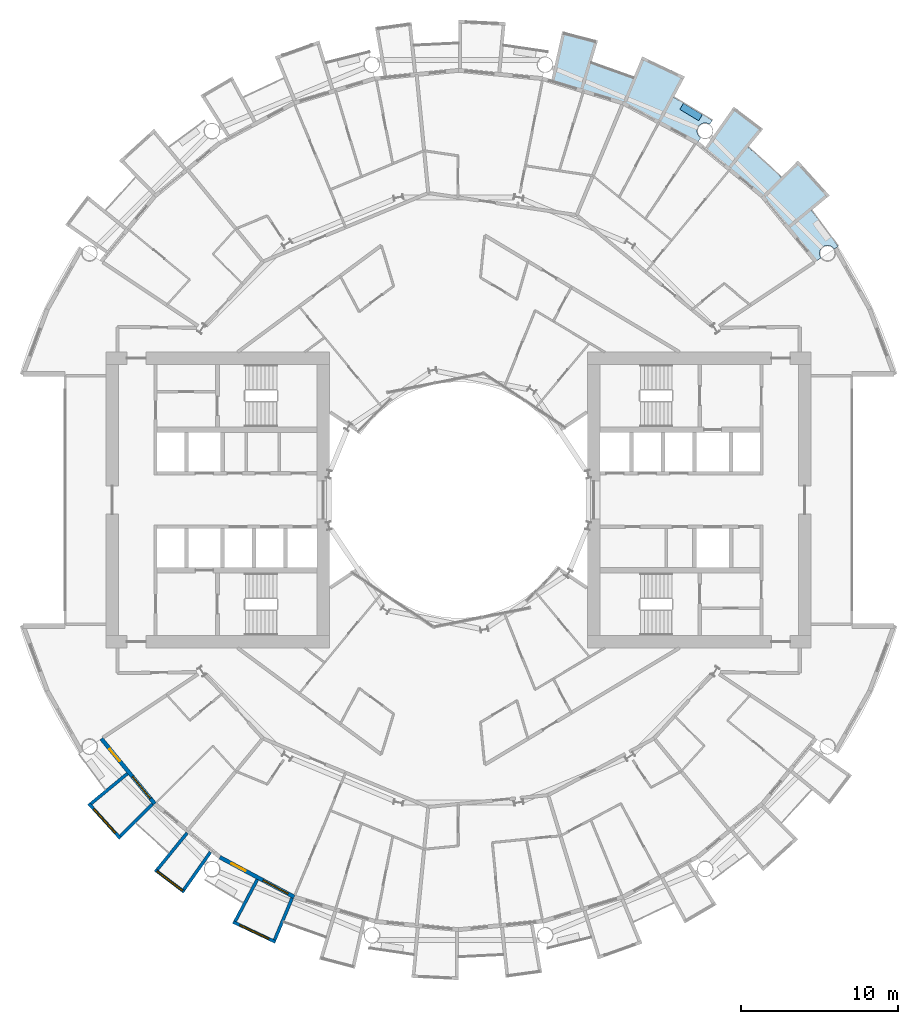
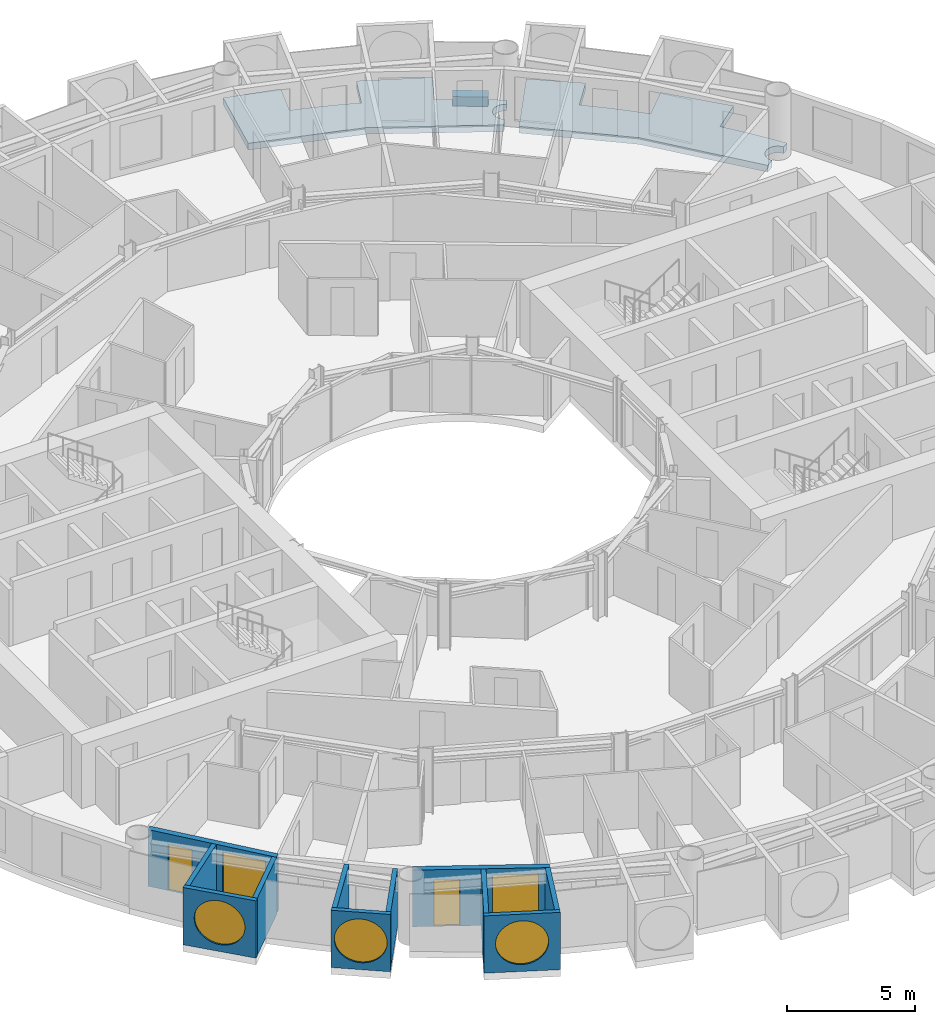
# One storey, part 12 of 26: 11 walls, 5 windows, 3 slabs, 2 doors, 7 openings.
"""IFC4 building model written with IfcOpenShell, lengths in metres."""

from ifc_helpers import new_model, si_unit, direction, frame, frame_2d, origin, place, context, subcontext, project, spatial, polyline, rectangle, circle, outline, extrude, material, layer, layer_set, type_object, element, fill, save


model = new_model("IFC4")

# Units and contexts
model_context = context("Model", 3, precision=1e-05, world=origin(), true_north=direction((0.0, 1.0)))
body_context = subcontext(model_context, "Body", "Model", "MODEL_VIEW")
ifc_project = project(units=[si_unit("LENGTHUNIT", "METRE"), si_unit("AREAUNIT", "SQUARE_METRE"), si_unit("VOLUMEUNIT", "CUBIC_METRE"), si_unit("PLANEANGLEUNIT", "RADIAN"), si_unit("MASSUNIT", "GRAM", prefix="KILO")], contexts=[model_context])

# Site, building, storey
site_placement = place(None, origin())
site = spatial("IfcSite", under=ifc_project, at=site_placement, CompositionType="ELEMENT")
building_placement = place(site_placement, origin())
building = spatial("IfcBuilding", under=site, at=building_placement, Name="Maasbend Ring Residences", CompositionType="ELEMENT")
storey_placement = place(building_placement, frame((0.0, 0.0, 50.25)))
storey = spatial("IfcBuildingStorey", under=building, at=storey_placement, Name="L14", CompositionType="ELEMENT", Elevation=50.25)

# Slabs
ifc_material_1 = material(Name="Planting with climbing greenery")
ifc_layer_1 = layer(ifc_material_1, 0.449951171875)
ifc_layer_set_1 = layer_set([ifc_layer_1], Name="PLANTER-LG")
slab_type_1 = type_object("IfcSlabType", Name="PLANTER-LG", PredefinedType="USERDEFINED", material=ifc_layer_set_1)
slab_1_placement = place(storey_placement, frame((0.0, 0.0, -0.030029296875)))
element("IfcSlab", 1, at=slab_1_placement, inside=storey, type_object=slab_type_1, Name="Planter with climbing greenery 2", ObjectType="PLANTER", PredefinedType="USERDEFINED", context=body_context, shape_type="SweptSolid", body=[
    extrude(outline(polyline([(15.490966796875, 24.48388671875), (14.291015625, 25.2041015625), (14.05908203125, 24.818115234375), (15.260009765625, 24.097900390625), (15.490966796875, 24.48388671875)])), origin(), (0.0, 0.0, 1.0), 0.449951171875),
])
ifc_material_2 = material(Name="Concrete C40/50", Category="concrete")
ifc_layer_2 = layer(ifc_material_2, 0.199951171875)
ifc_layer_set_2 = layer_set([ifc_layer_2], Name="Concrete C40/50")
slab_type_2 = type_object("IfcSlabType", Name="SL-LOGGIA", PredefinedType="FLOOR", material=ifc_layer_set_2)
slab_2_placement = place(storey_placement, frame((0.0, 0.0, -0.35009765625)))
element("IfcSlab", 2, at=slab_2_placement, inside=storey, type_object=slab_type_2, Name="Loggia floor 1", PredefinedType="FLOOR", context=body_context, shape_type="SweptSolid", body=[
    extrude(outline(polyline([(8.85400390625, 29.18701171875), (8.85400390625, 29.18701171875), (8.85400390625, 29.18701171875), (8.41796875, 27.751953125), (8.41796875, 27.751953125), (8.41796875, 27.751953125), (8.41796875, 27.751953125), (8.41796875, 27.751953125), (8.41796875, 27.751953125), (8.41796875, 27.7509765625), (8.41796875, 27.7509765625), (8.41796875, 27.7509765625), (8.41796875, 27.7509765625), (8.41796875, 27.7509765625), (8.4189453125, 27.7509765625), (8.4189453125, 27.7509765625), (8.4189453125, 27.7509765625), (8.4189453125, 27.7509765625), (8.4189453125, 27.7509765625), (8.4189453125, 27.7509765625), (9.322021484375, 27.4609375), (9.322021484375, 27.4609375), (10.215087890625, 27.14111328125), (10.215087890625, 27.14111328125), (11.096923828125, 26.79296875), (11.096923828125, 26.79296875), (11.096923828125, 26.79296875), (11.097900390625, 26.79296875), (11.097900390625, 26.79296875), (11.097900390625, 26.79296875), (11.097900390625, 26.79296875), (11.097900390625, 26.79296875), (11.097900390625, 26.79296875), (11.097900390625, 26.79296875), (11.097900390625, 26.79296875), (11.097900390625, 26.79296875), (11.097900390625, 26.79296875), (11.097900390625, 26.79296875), (11.097900390625, 26.79296875), (11.097900390625, 26.79296875), (11.097900390625, 26.79296875), (11.672119140625, 28.177978515625), (11.672119140625, 28.177978515625), (11.672119140625, 28.177978515625), (14.3779296875, 26.89892578125), (14.3779296875, 26.89892578125), (14.3779296875, 26.89892578125), (13.6708984375, 25.575927734375), (13.6708984375, 25.575927734375), (13.6708984375, 25.575927734375), (13.6708984375, 25.575927734375), (13.6708984375, 25.575927734375), (13.6708984375, 25.575927734375), (13.6708984375, 25.575927734375), (13.6708984375, 25.575927734375), (13.6708984375, 25.575927734375), (13.6708984375, 25.575927734375), (13.6708984375, 25.575927734375), (13.6708984375, 25.575927734375), (13.6708984375, 25.575927734375), (13.6708984375, 25.575927734375), (13.6708984375, 25.575927734375), (13.6708984375, 25.575927734375), (13.6708984375, 25.574951171875), (14.5, 25.114990234375), (14.5, 25.114990234375), (15.31396484375, 24.626953125), (15.31396484375, 24.626953125), (16.112060546875, 24.113037109375), (16.112060546875, 24.113037109375), (16.112060546875, 24.113037109375), (15.948974609375, 23.8701171875), (15.93896484375, 23.876953125), (15.927978515625, 23.883056640625), (15.9169921875, 23.888916015625), (15.906982421875, 23.89501953125), (15.89599609375, 23.90087890625), (15.884033203125, 23.906982421875), (15.873046875, 23.912109375), (15.862060546875, 23.9169921875), (15.85009765625, 23.9208984375), (15.837890625, 23.926025390625), (15.825927734375, 23.929931640625), (15.81494140625, 23.93408203125), (15.802978515625, 23.93701171875), (15.791015625, 23.93994140625), (15.778076171875, 23.943115234375), (15.76611328125, 23.946044921875), (15.75390625, 23.947998046875), (15.741943359375, 23.949951171875), (15.72900390625, 23.951904296875), (15.717041015625, 23.952880859375), (15.7041015625, 23.9541015625), (15.69189453125, 23.955078125), (15.679931640625, 23.955078125), (15.6669921875, 23.955078125), (15.655029296875, 23.955078125), (15.64208984375, 23.955078125), (15.6298828125, 23.9541015625), (15.616943359375, 23.952880859375), (15.60498046875, 23.951904296875), (15.593017578125, 23.949951171875), (15.580078125, 23.947998046875), (15.568115234375, 23.946044921875), (15.555908203125, 23.943115234375), (15.5439453125, 23.93994140625), (15.531982421875, 23.93701171875), (15.52001953125, 23.93408203125), (15.508056640625, 23.929931640625), (15.49609375, 23.926025390625), (15.48388671875, 23.9208984375), (15.472900390625, 23.9169921875), (15.4609375, 23.912109375), (15.449951171875, 23.906982421875), (15.43896484375, 23.90087890625), (15.427978515625, 23.89501953125), (15.4169921875, 23.888916015625), (15.406005859375, 23.883056640625), (15.39501953125, 23.876953125), (15.385009765625, 23.8701171875), (15.375, 23.863037109375), (15.364013671875, 23.85498046875), (15.35498046875, 23.847900390625), (15.344970703125, 23.840087890625), (15.3349609375, 23.83203125), (15.325927734375, 23.823974609375), (15.31689453125, 23.81494140625), (15.30810546875, 23.806884765625), (15.299072265625, 23.798095703125), (15.291015625, 23.7890625), (15.281982421875, 23.779052734375), (15.27392578125, 23.77001953125), (15.26708984375, 23.760009765625), (15.259033203125, 23.75), (15.251953125, 23.739990234375), (15.2451171875, 23.72998046875), (15.238037109375, 23.718994140625), (15.23095703125, 23.708984375), (15.22509765625, 23.697998046875), (15.218994140625, 23.68701171875), (15.212890625, 23.676025390625), (15.2080078125, 23.6650390625), (15.202880859375, 23.653076171875), (15.197998046875, 23.64208984375), (15.193115234375, 23.6298828125), (15.18896484375, 23.618896484375), (15.18505859375, 23.60693359375), (15.180908203125, 23.594970703125), (15.177978515625, 23.5830078125), (15.174072265625, 23.571044921875), (15.1708984375, 23.55908203125), (15.1689453125, 23.547119140625), (15.1669921875, 23.533935546875), (15.1650390625, 23.52197265625), (15.1630859375, 23.510009765625), (15.162109375, 23.4970703125), (15.159912109375, 23.485107421875), (15.159912109375, 23.471923828125), (15.158935546875, 23.4599609375), (15.158935546875, 23.447021484375), (15.158935546875, 23.43505859375), (15.159912109375, 23.422119140625), (15.159912109375, 23.409912109375), (15.162109375, 23.39794921875), (15.1630859375, 23.385009765625), (15.1650390625, 23.373046875), (15.1669921875, 23.361083984375), (15.1689453125, 23.347900390625), (15.1708984375, 23.3359375), (15.174072265625, 23.323974609375), (15.177978515625, 23.31201171875), (15.180908203125, 23.300048828125), (15.18505859375, 23.2880859375), (15.18896484375, 23.27587890625), (15.193115234375, 23.264892578125), (15.197998046875, 23.2529296875), (15.202880859375, 23.241943359375), (15.2080078125, 23.22998046875), (15.212890625, 23.218994140625), (15.218994140625, 23.2080078125), (15.22509765625, 23.197021484375), (15.23095703125, 23.18603515625), (15.238037109375, 23.176025390625), (15.2451171875, 23.1650390625), (15.251953125, 23.155029296875), (15.259033203125, 23.14501953125), (15.26708984375, 23.135009765625), (15.27392578125, 23.125), (15.281982421875, 23.115966796875), (15.291015625, 23.10595703125), (15.299072265625, 23.096923828125), (15.30810546875, 23.087890625), (15.31689453125, 23.0791015625), (15.325927734375, 23.071044921875), (15.3349609375, 23.06298828125), (15.344970703125, 23.054931640625), (15.35498046875, 23.047119140625), (15.364013671875, 23.0390625), (15.375, 23.031982421875), (15.385009765625, 23.02490234375), (15.1669921875, 22.698974609375), (15.1669921875, 22.698974609375), (15.1669921875, 22.698974609375), (12.806884765625, 23.9609375), (10.447021484375, 25.221923828125), (10.447021484375, 25.221923828125), (10.447021484375, 25.221923828125), (7.886962890625, 25.9990234375), (5.89111328125, 26.60400390625), (5.89111328125, 26.60400390625), (5.89111328125, 26.60400390625), (6.593994140625, 29.779052734375), (6.593994140625, 29.779052734375), (6.593994140625, 29.779052734375), (8.85400390625, 29.18701171875)])), origin(), (0.0, 0.0, 1.0), 0.320068359375),
])
slab_3_placement = place(storey_placement, frame((0.0, 0.0, -0.35009765625)))
element("IfcSlab", 3, at=slab_3_placement, inside=storey, type_object=slab_type_2, Name="Loggia floor 4", PredefinedType="FLOOR", context=body_context, shape_type="SweptSolid", body=[
    extrude(outline(polyline([(19.34912109375, 23.576904296875), (19.34912109375, 23.576904296875), (19.34912109375, 23.576904296875), (18.39794921875, 22.41796875), (18.39794921875, 22.41796875), (18.39794921875, 22.41796875), (18.39794921875, 22.41796875), (18.39794921875, 22.41796875), (18.39794921875, 22.4169921875), (18.39794921875, 22.4169921875), (18.39794921875, 22.4169921875), (18.39794921875, 22.4169921875), (18.39794921875, 22.4169921875), (18.39794921875, 22.4169921875), (18.39794921875, 22.4169921875), (18.39794921875, 22.4169921875), (18.39794921875, 22.4169921875), (18.39794921875, 22.4169921875), (18.39794921875, 22.4169921875), (18.39794921875, 22.4169921875), (19.12109375, 21.802978515625), (19.12109375, 21.802978515625), (19.823974609375, 21.166015625), (19.823974609375, 21.166015625), (20.506103515625, 20.506103515625), (20.506103515625, 20.506103515625), (20.506103515625, 20.506103515625), (20.506103515625, 20.506103515625), (20.506103515625, 20.506103515625), (20.506103515625, 20.506103515625), (20.506103515625, 20.506103515625), (20.506103515625, 20.506103515625), (20.506103515625, 20.506103515625), (20.506103515625, 20.506103515625), (20.506103515625, 20.506103515625), (20.506103515625, 20.506103515625), (20.506103515625, 20.506103515625), (20.506103515625, 20.506103515625), (20.506103515625, 20.506103515625), (20.506103515625, 20.506103515625), (20.506103515625, 20.506103515625), (21.56689453125, 21.56689453125), (21.56689453125, 21.56689453125), (21.56689453125, 21.56689453125), (23.576904296875, 19.34912109375), (23.576904296875, 19.34912109375), (23.576904296875, 19.34912109375), (22.41796875, 18.39794921875), (22.41796875, 18.39794921875), (22.41796875, 18.39794921875), (22.41796875, 18.39794921875), (22.41796875, 18.39794921875), (22.41796875, 18.39794921875), (22.41796875, 18.39697265625), (22.41796875, 18.39697265625), (22.41796875, 18.39697265625), (22.41796875, 18.39697265625), (22.41796875, 18.39697265625), (22.41796875, 18.39697265625), (22.41796875, 18.39697265625), (22.41796875, 18.39697265625), (22.41796875, 18.39697265625), (22.41796875, 18.39697265625), (22.41796875, 18.39697265625), (23.007080078125, 17.654052734375), (23.007080078125, 17.654052734375), (23.572998046875, 16.89208984375), (23.572998046875, 16.89208984375), (24.113037109375, 16.112060546875), (24.113037109375, 16.112060546875), (24.113037109375, 16.112060546875), (23.8701171875, 15.948974609375), (23.8701171875, 15.948974609375), (23.863037109375, 15.9599609375), (23.85498046875, 15.969970703125), (23.847900390625, 15.97998046875), (23.840087890625, 15.989013671875), (23.83203125, 15.9990234375), (23.823974609375, 16.008056640625), (23.81494140625, 16.01708984375), (23.806884765625, 16.02587890625), (23.798095703125, 16.034912109375), (23.7890625, 16.0439453125), (23.779052734375, 16.052001953125), (23.77001953125, 16.06005859375), (23.760009765625, 16.068115234375), (23.75, 16.074951171875), (23.739990234375, 16.08203125), (23.72998046875, 16.089111328125), (23.718994140625, 16.095947265625), (23.708984375, 16.10302734375), (23.697998046875, 16.10888671875), (23.68701171875, 16.114990234375), (23.676025390625, 16.12109375), (23.6650390625, 16.1259765625), (23.653076171875, 16.132080078125), (23.64208984375, 16.135986328125), (23.6298828125, 16.14111328125), (23.618896484375, 16.14501953125), (23.60693359375, 16.14892578125), (23.594970703125, 16.153076171875), (23.5830078125, 16.156982421875), (23.571044921875, 16.159912109375), (23.55908203125, 16.1630859375), (23.547119140625, 16.1650390625), (23.533935546875, 16.16796875), (23.52197265625, 16.169921875), (23.510009765625, 16.1708984375), (23.4970703125, 16.173095703125), (23.485107421875, 16.174072265625), (23.471923828125, 16.174072265625), (23.4599609375, 16.175048828125), (23.447021484375, 16.175048828125), (23.43505859375, 16.175048828125), (23.422119140625, 16.174072265625), (23.409912109375, 16.174072265625), (23.39794921875, 16.173095703125), (23.385009765625, 16.1708984375), (23.373046875, 16.169921875), (23.361083984375, 16.16796875), (23.347900390625, 16.1650390625), (23.3359375, 16.1630859375), (23.323974609375, 16.159912109375), (23.31201171875, 16.156982421875), (23.300048828125, 16.153076171875), (23.2880859375, 16.14892578125), (23.27587890625, 16.14501953125), (23.264892578125, 16.14111328125), (23.2529296875, 16.135986328125), (23.241943359375, 16.132080078125), (23.22998046875, 16.1259765625), (23.218994140625, 16.12109375), (23.2080078125, 16.114990234375), (23.197021484375, 16.10888671875), (23.18603515625, 16.10302734375), (23.176025390625, 16.095947265625), (23.1650390625, 16.089111328125), (23.155029296875, 16.08203125), (23.14501953125, 16.074951171875), (23.135009765625, 16.068115234375), (23.125, 16.06005859375), (23.115966796875, 16.052001953125), (23.10595703125, 16.0439453125), (23.096923828125, 16.034912109375), (23.087890625, 16.02587890625), (23.0791015625, 16.01708984375), (23.071044921875, 16.008056640625), (23.06298828125, 15.9990234375), (23.054931640625, 15.989013671875), (23.047119140625, 15.97998046875), (23.0390625, 15.969970703125), (23.031982421875, 15.9599609375), (23.02490234375, 15.948974609375), (23.01806640625, 15.93896484375), (23.011962890625, 15.927978515625), (23.0048828125, 15.9169921875), (22.9990234375, 15.906982421875), (22.993896484375, 15.89599609375), (22.988037109375, 15.884033203125), (22.98291015625, 15.873046875), (22.97802734375, 15.862060546875), (22.972900390625, 15.85009765625), (22.968994140625, 15.837890625), (22.965087890625, 15.825927734375), (22.9609375, 15.81494140625), (22.9580078125, 15.802978515625), (22.955078125, 15.791015625), (22.951904296875, 15.778076171875), (22.948974609375, 15.76611328125), (22.947021484375, 15.75390625), (22.945068359375, 15.741943359375), (22.943115234375, 15.72900390625), (22.94189453125, 15.717041015625), (22.94091796875, 15.7041015625), (22.93994140625, 15.69189453125), (22.93994140625, 15.679931640625), (22.93896484375, 15.6669921875), (22.93994140625, 15.655029296875), (22.93994140625, 15.64208984375), (22.94091796875, 15.6298828125), (22.94189453125, 15.616943359375), (22.943115234375, 15.60498046875), (22.945068359375, 15.593017578125), (22.947021484375, 15.580078125), (22.948974609375, 15.568115234375), (22.951904296875, 15.555908203125), (22.955078125, 15.5439453125), (22.9580078125, 15.531982421875), (22.9609375, 15.52001953125), (22.965087890625, 15.508056640625), (22.968994140625, 15.49609375), (22.972900390625, 15.48388671875), (22.97802734375, 15.472900390625), (22.98291015625, 15.4609375), (22.988037109375, 15.449951171875), (22.993896484375, 15.43896484375), (22.9990234375, 15.427978515625), (23.0048828125, 15.4169921875), (23.011962890625, 15.406005859375), (23.01806640625, 15.39501953125), (23.02490234375, 15.385009765625), (23.02490234375, 15.385009765625), (22.698974609375, 15.1669921875), (22.698974609375, 15.1669921875), (22.698974609375, 15.1669921875), (21.001953125, 17.236083984375), (19.303955078125, 19.303955078125), (19.303955078125, 19.303955078125), (19.303955078125, 19.303955078125), (17.236083984375, 21.001953125), (15.623046875, 22.324951171875), (15.623046875, 22.324951171875), (15.623046875, 22.324951171875), (17.488037109375, 24.989013671875), (17.488037109375, 24.989013671875), (17.488037109375, 24.989013671875), (19.34912109375, 23.576904296875)])), origin(), (0.0, 0.0, 1.0), 0.320068359375),
])

# Wall, opening, window
ifc_material_3 = material(Name="Pale anodised aluminium panel", Category="aluminium")
ifc_layer_3 = layer(ifc_material_3, 0.199951171875)
ifc_layer_set_3 = layer_set([ifc_layer_3], Name="EW-BOX")
wall_type_1 = type_object("IfcWallType", Name="EW-BOX", PredefinedType="SOLIDWALL", material=ifc_layer_set_3)
wall_1_placement = place(storey_placement, frame((-23.5029296875, -19.281982421875, -0.030029296875), z_axis=(0.0, 0.0, 1.0), x_axis=(0.671506829416, -0.740998365753, 0.0)))
wall_1 = element("IfcWall", 4, at=wall_1_placement, inside=storey, type_object=wall_type_1, Name="Box front S02", PredefinedType="SOLIDWALL", context=body_context, shape_type="SweptSolid", body=[
    extrude(rectangle(XDim=2.9931640625, YDim=0.199951171875, at=frame_2d((1.49658203125, 0.0))), origin(), (0.0, 0.0, 1.0), 2.72998046875),
])
opening_1_placement = place(wall_1_placement, frame((0.45654296875, 0.0, 0.330078125)))
opening_1 = element("IfcOpeningElement", 5, at=opening_1_placement, cuts=wall_1, Name="Opening W-RD", PredefinedType="OPENING", context=body_context, shape_type="SweptSolid", body=[
    extrude(circle(Radius=1.0400390625, at=frame_2d((1.0400390625, 1.0400390625))), frame((0.0, 0.10986328125, 0.0), z_axis=(0.0, -1.0, 0.0), x_axis=(1.0, 0.0, 0.0)), (0.0, 0.0, 1.0), 0.219970703125),
])
ifc_material_4 = material(Name="Aluminium and clear glass", Category="aluminium")
window_type_1 = type_object("IfcWindowType", Name="W-RD", PartitioningType="SINGLE_PANEL", PredefinedType="WINDOW", material=ifc_material_4)
window_1_placement = place(opening_1_placement, origin())
window_1 = element("IfcWindow", 6, at=window_1_placement, inside=storey, type_object=window_type_1, Name="Round window S02", OverallHeight=2.080078125, OverallWidth=2.080078125, PartitioningType="SINGLE_PANEL", PredefinedType="WINDOW", context=body_context, shape_type="SweptSolid", body=[
    extrude(circle(Radius=1.0400390625, at=frame_2d((1.0400390625, 1.0400390625))), frame((0.0, 0.030029296875, 0.0), z_axis=(0.0, -1.0, 0.0), x_axis=(1.0, 0.0, 0.0)), (0.0, 0.0, 1.0), 0.06005859375),
])
fill(opening_1, window_1)

# Walls
wall_2_placement = place(storey_placement, frame((-21.041015625, -17.384033203125, -0.030029296875), z_axis=(0.0, 0.0, 1.0), x_axis=(-0.770784861449, -0.63709551667, 0.0)))
element("IfcWall", 7, at=wall_2_placement, inside=storey, type_object=wall_type_1, Name="Box side wall S02 left", PredefinedType="SOLIDWALL", context=body_context, shape_type="SweptSolid", body=[
    extrude(rectangle(XDim=3.005859375, YDim=0.199951171875, at=frame_2d((1.5029296875, 0.0))), origin(), (0.0, 0.0, 1.0), 2.72998046875),
])
wall_3_placement = place(storey_placement, frame((-19.449951171875, -19.322998046875, -0.030029296875), z_axis=(0.0, 0.0, 1.0), x_axis=(-0.709727076896, -0.704476739375, 0.0)))
element("IfcWall", 8, at=wall_3_placement, inside=storey, type_object=wall_type_1, Name="Box side wall S02 right", PredefinedType="SOLIDWALL", context=body_context, shape_type="SweptSolid", body=[
    extrude(rectangle(XDim=2.883056640625, YDim=0.199951171875, at=frame_2d((1.44140625, 0.0))), origin(), (0.0, 0.0, 1.0), 2.72998046875),
])

# Wall, opening, window
wall_4_placement = place(storey_placement, frame((-19.2890625, -23.4970703125, -0.030029296875), z_axis=(0.0, 0.0, 1.0), x_axis=(0.796842165306, -0.60418752353, 0.0)))
wall_4 = element("IfcWall", 9, at=wall_4_placement, inside=storey, type_object=wall_type_1, Name="Box front S04", PredefinedType="SOLIDWALL", context=body_context, shape_type="SweptSolid", body=[
    extrude(rectangle(XDim=2.3369140625, YDim=0.199951171875, at=frame_2d((1.16845703125, 0.0))), origin(), (0.0, 0.0, 1.0), 2.72998046875),
])
opening_2_placement = place(wall_4_placement, frame((0.128173828125, 0.0, 0.330078125)))
opening_2 = element("IfcOpeningElement", 10, at=opening_2_placement, cuts=wall_4, Name="Opening W-RD", PredefinedType="OPENING", context=body_context, shape_type="SweptSolid", body=[
    extrude(circle(Radius=1.0400390625, at=frame_2d((1.0400390625, 1.0400390625))), frame((0.0, 0.10986328125, 0.0), z_axis=(0.0, -1.0, 0.0), x_axis=(1.0, 0.0, 0.0)), (0.0, 0.0, 1.0), 0.219970703125),
])
window_2_placement = place(opening_2_placement, origin())
window_2 = element("IfcWindow", 11, at=window_2_placement, inside=storey, type_object=window_type_1, Name="Round window S04", OverallHeight=2.080078125, OverallWidth=2.080078125, PartitioningType="SINGLE_PANEL", PredefinedType="WINDOW", context=body_context, shape_type="SweptSolid", body=[
    extrude(circle(Radius=1.0400390625, at=frame_2d((1.0400390625, 1.0400390625))), frame((0.0, 0.030029296875, 0.0), z_axis=(0.0, -1.0, 0.0), x_axis=(1.0, 0.0, 0.0)), (0.0, 0.0, 1.0), 0.06005859375),
])
fill(opening_2, window_2)

# Walls
wall_5_placement = place(storey_placement, frame((-17.24609375, -21.155029296875, -0.030029296875), z_axis=(0.0, 0.0, 1.0), x_axis=(-0.631741648902, -0.775179004516, 0.0)))
element("IfcWall", 12, at=wall_5_placement, inside=storey, type_object=wall_type_1, Name="Box side wall S04 left", PredefinedType="SOLIDWALL", context=body_context, shape_type="SweptSolid", body=[
    extrude(rectangle(XDim=3.005859375, YDim=0.199951171875, at=frame_2d((1.5029296875, 0.0))), origin(), (0.0, 0.0, 1.0), 2.72998046875),
])
wall_6_placement = place(storey_placement, frame((-15.764892578125, -22.3701171875, -0.030029296875), z_axis=(0.0, 0.0, 1.0), x_axis=(-0.576274612209, -0.817256123454, 0.0)))
element("IfcWall", 13, at=wall_6_placement, inside=storey, type_object=wall_type_1, Name="Box side wall S04 right", PredefinedType="SOLIDWALL", context=body_context, shape_type="SweptSolid", body=[
    extrude(rectangle(XDim=2.932861328125, YDim=0.199951171875, at=frame_2d((1.46630859375, 0.0))), origin(), (0.0, 0.0, 1.0), 2.72998046875),
])

# Wall, opening, window
wall_7_placement = place(storey_placement, frame((-14.3349609375, -26.80810546875, -0.030029296875), z_axis=(0.0, 0.0, 1.0), x_axis=(0.904000060331, -0.427532327342, 0.0)))
wall_7 = element("IfcWall", 14, at=wall_7_placement, inside=storey, type_object=wall_type_1, Name="Box front S06", PredefinedType="SOLIDWALL", context=body_context, shape_type="SweptSolid", body=[
    extrude(rectangle(XDim=2.993408203125, YDim=0.199951171875, at=frame_2d((1.49658203125, 0.0))), origin(), (0.0, 0.0, 1.0), 2.72998046875),
])
opening_3_placement = place(wall_7_placement, frame((0.45654296875, 0.0, 0.330078125)))
opening_3 = element("IfcOpeningElement", 15, at=opening_3_placement, cuts=wall_7, Name="Opening W-RD", PredefinedType="OPENING", context=body_context, shape_type="SweptSolid", body=[
    extrude(circle(Radius=1.0400390625, at=frame_2d((1.0400390625, 1.0400390625))), frame((0.0, 0.10986328125, 0.0), z_axis=(0.0, -1.0, 0.0), x_axis=(1.0, 0.0, 0.0)), (0.0, 0.0, 1.0), 0.219970703125),
])
window_3_placement = place(opening_3_placement, origin())
window_3 = element("IfcWindow", 16, at=window_3_placement, inside=storey, type_object=window_type_1, Name="Round window S06", OverallHeight=2.080078125, OverallWidth=2.080078125, PartitioningType="SINGLE_PANEL", PredefinedType="WINDOW", context=body_context, shape_type="SweptSolid", body=[
    extrude(circle(Radius=1.0400390625, at=frame_2d((1.0400390625, 1.0400390625))), frame((0.0, 0.030029296875, 0.0), z_axis=(0.0, -1.0, 0.0), x_axis=(1.0, 0.0, 0.0)), (0.0, 0.0, 1.0), 0.06005859375),
])
fill(opening_3, window_3)

# Walls
wall_8_placement = place(storey_placement, frame((-12.787109375, -24.113037109375, -0.030029296875), z_axis=(0.0, 0.0, 1.0), x_axis=(-0.468365282436, -0.883534924159, 0.0)))
element("IfcWall", 17, at=wall_8_placement, inside=storey, type_object=wall_type_1, Name="Box side wall S06 left", PredefinedType="SOLIDWALL", context=body_context, shape_type="SweptSolid", body=[
    extrude(rectangle(XDim=3.006103515625, YDim=0.199951171875, at=frame_2d((1.5029296875, 0.0))), origin(), (0.0, 0.0, 1.0), 2.72998046875),
])
wall_9_placement = place(storey_placement, frame((-10.574951171875, -25.294921875, -0.030029296875), z_axis=(0.0, 0.0, 1.0), x_axis=(-0.385697364644, -0.922625353492, 0.0)))
element("IfcWall", 18, at=wall_9_placement, inside=storey, type_object=wall_type_1, Name="Box side wall S06 right", PredefinedType="SOLIDWALL", context=body_context, shape_type="SweptSolid", body=[
    extrude(rectangle(XDim=2.88330078125, YDim=0.199951171875, at=frame_2d((1.441650390625, 0.0))), origin(), (0.0, 0.0, 1.0), 2.72998046875),
])

# Wall, openings, door, window
ifc_material_5 = material(Name="Aluminium clad insulated panel", Category="aluminium")
ifc_layer_4 = layer(ifc_material_5, 0.25)
ifc_layer_set_4 = layer_set([ifc_layer_4], Name="EW-GL")
wall_type_2 = type_object("IfcWallType", Name="EW-GL", PredefinedType="SOLIDWALL", material=ifc_layer_set_4)
wall_10_placement = place(storey_placement, frame((-22.698974609375, -15.1669921875, 0.0), z_axis=(0.0, 0.0, 1.0), x_axis=(0.634382322723, -0.773019449054, 0.0)))
wall_10 = element("IfcWall", 19, at=wall_10_placement, inside=storey, type_object=wall_type_2, Name="External wall S01", PredefinedType="SOLIDWALL", context=body_context, shape_type="SweptSolid", body=[
    extrude(rectangle(XDim=5.351806640625, YDim=0.25, at=frame_2d((2.67578125, 0.0))), origin(), (0.0, 0.0, 1.0), 2.699951171875),
])
opening_4_placement = place(wall_10_placement, frame((0.841064453125, 0.0, 0.0)))
opening_4 = element("IfcOpeningElement", 20, at=opening_4_placement, cuts=wall_10, Name="Opening D-LG", PredefinedType="OPENING", context=body_context, shape_type="SweptSolid", body=[
    extrude(rectangle(XDim=1.0, YDim=2.199951171875, at=frame_2d((0.5, 1.10009765625))), frame((0.0, 0.135009765625, 0.0), z_axis=(0.0, -1.0, 0.0), x_axis=(1.0, 0.0, 0.0)), (0.0, 0.0, 1.0), 0.27001953125),
])
opening_5_placement = place(wall_10_placement, frame((3.110595703125, 0.0, 0.300048828125)))
opening_5 = element("IfcOpeningElement", 21, at=opening_5_placement, cuts=wall_10, Name="Opening W-BX", PredefinedType="OPENING", context=body_context, shape_type="SweptSolid", body=[
    extrude(rectangle(XDim=1.800048828125, YDim=2.10009765625, at=frame_2d((0.89990234375, 1.050048828125))), frame((0.0, 0.135009765625, 0.0), z_axis=(0.0, -1.0, 0.0), x_axis=(1.0, 0.0, 0.0)), (0.0, 0.0, 1.0), 0.27001953125),
])
ifc_material_6 = material(Name="Aluminium and clear glass", Category="aluminium")
door_type = type_object("IfcDoorType", Name="D-LG", OperationType="SINGLE_SWING_LEFT", PredefinedType="DOOR", material=ifc_material_6)
door_1_placement = place(opening_4_placement, origin())
door_1 = element("IfcDoor", 22, at=door_1_placement, inside=storey, type_object=door_type, Name="Loggia door S01", OperationType="SINGLE_SWING_LEFT", OverallHeight=2.199951171875, OverallWidth=1.0, PredefinedType="DOOR", context=body_context, shape_type="SweptSolid", body=[
    extrude(rectangle(XDim=1.0, YDim=2.199951171875, at=frame_2d((0.5, 1.10009765625))), frame((0.0, 0.02490234375, 0.0), z_axis=(0.0, -1.0, 0.0), x_axis=(1.0, 0.0, 0.0)), (0.0, 0.0, 1.0), 0.050048828125),
])
fill(opening_4, door_1)
ifc_material_7 = material(Name="Aluminium and clear glass", Category="aluminium")
window_type_2 = type_object("IfcWindowType", Name="W-BX", PartitioningType="DOUBLE_PANEL_VERTICAL", PredefinedType="WINDOW", material=ifc_material_7)
window_4_placement = place(opening_5_placement, origin())
window_4 = element("IfcWindow", 23, at=window_4_placement, inside=storey, type_object=window_type_2, Name="Window S02 room to box", OverallHeight=2.10009765625, OverallWidth=1.800048828125, PartitioningType="SINGLE_PANEL", PredefinedType="WINDOW", context=body_context, shape_type="SweptSolid", body=[
    extrude(rectangle(XDim=1.800048828125, YDim=2.10009765625, at=frame_2d((0.89990234375, 1.050048828125))), frame((0.0, 0.030029296875, 0.0), z_axis=(0.0, -1.0, 0.0), x_axis=(1.0, 0.0, 0.0)), (0.0, 0.0, 1.0), 0.06005859375),
])
fill(opening_5, window_4)

wall_11_placement = place(storey_placement, frame((-15.1669921875, -22.698974609375, 0.0), z_axis=(0.0, 0.0, 1.0), x_axis=(0.881915646801, -0.471407246368, 0.0)))
wall_11 = element("IfcWall", 24, at=wall_11_placement, inside=storey, type_object=wall_type_2, Name="External wall S03", PredefinedType="SOLIDWALL", context=body_context, shape_type="SweptSolid", body=[
    extrude(rectangle(XDim=5.35205078125, YDim=0.25, at=frame_2d((2.676025390625, 0.0))), origin(), (0.0, 0.0, 1.0), 2.699951171875),
])
opening_6_placement = place(wall_11_placement, frame((0.841064453125, 0.0, 0.0)))
opening_6 = element("IfcOpeningElement", 25, at=opening_6_placement, cuts=wall_11, Name="Opening D-LG", PredefinedType="OPENING", context=body_context, shape_type="SweptSolid", body=[
    extrude(rectangle(XDim=1.0, YDim=2.199951171875, at=frame_2d((0.5, 1.10009765625))), frame((0.0, 0.135009765625, 0.0), z_axis=(0.0, -1.0, 0.0), x_axis=(1.0, 0.0, 0.0)), (0.0, 0.0, 1.0), 0.27001953125),
])
opening_7_placement = place(wall_11_placement, frame((3.110595703125, 0.0, 0.300048828125)))
opening_7 = element("IfcOpeningElement", 26, at=opening_7_placement, cuts=wall_11, Name="Opening W-BX", PredefinedType="OPENING", context=body_context, shape_type="SweptSolid", body=[
    extrude(rectangle(XDim=1.800048828125, YDim=2.10009765625, at=frame_2d((0.89990234375, 1.050048828125))), frame((0.0, 0.135009765625, 0.0), z_axis=(0.0, -1.0, 0.0), x_axis=(1.0, 0.0, 0.0)), (0.0, 0.0, 1.0), 0.27001953125),
])
door_2_placement = place(opening_6_placement, origin())
door_2 = element("IfcDoor", 27, at=door_2_placement, inside=storey, type_object=door_type, Name="Loggia door S05", OperationType="SINGLE_SWING_LEFT", OverallHeight=2.199951171875, OverallWidth=1.0, PredefinedType="DOOR", context=body_context, shape_type="SweptSolid", body=[
    extrude(rectangle(XDim=1.0, YDim=2.199951171875, at=frame_2d((0.5, 1.10009765625))), frame((0.0, 0.02490234375, 0.0), z_axis=(0.0, -1.0, 0.0), x_axis=(1.0, 0.0, 0.0)), (0.0, 0.0, 1.0), 0.050048828125),
])
fill(opening_6, door_2)
window_5_placement = place(opening_7_placement, origin())
window_5 = element("IfcWindow", 28, at=window_5_placement, inside=storey, type_object=window_type_2, Name="Window S06 room to box", OverallHeight=2.10009765625, OverallWidth=1.800048828125, PartitioningType="SINGLE_PANEL", PredefinedType="WINDOW", context=body_context, shape_type="SweptSolid", body=[
    extrude(rectangle(XDim=1.800048828125, YDim=2.10009765625, at=frame_2d((0.89990234375, 1.050048828125))), frame((0.0, 0.030029296875, 0.0), z_axis=(0.0, -1.0, 0.0), x_axis=(1.0, 0.0, 0.0)), (0.0, 0.0, 1.0), 0.06005859375),
])
fill(opening_7, window_5)

save(model, "model.ifc")
